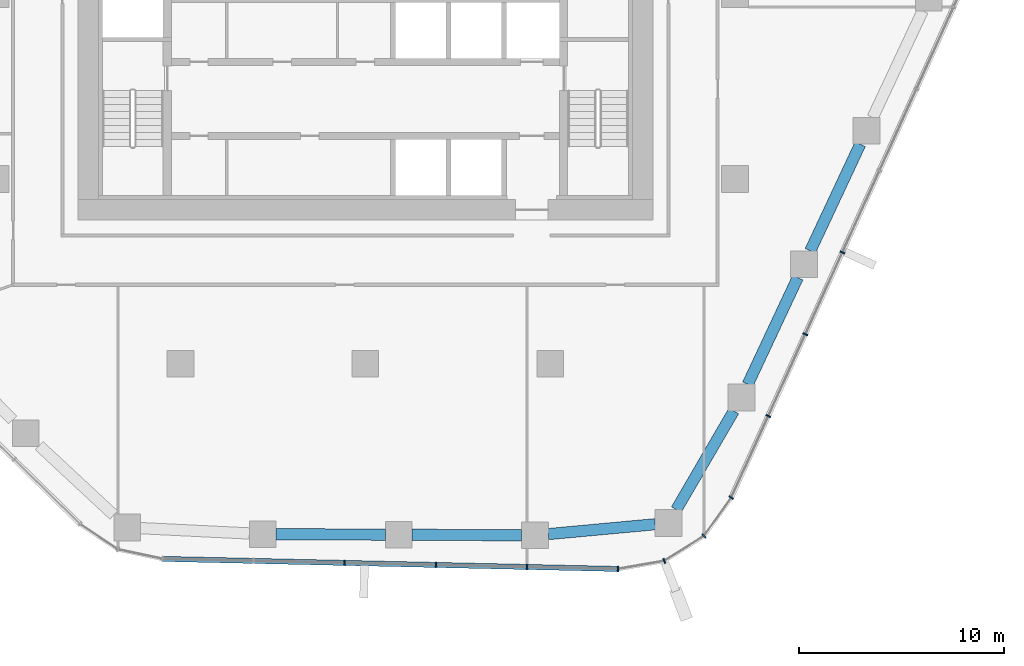
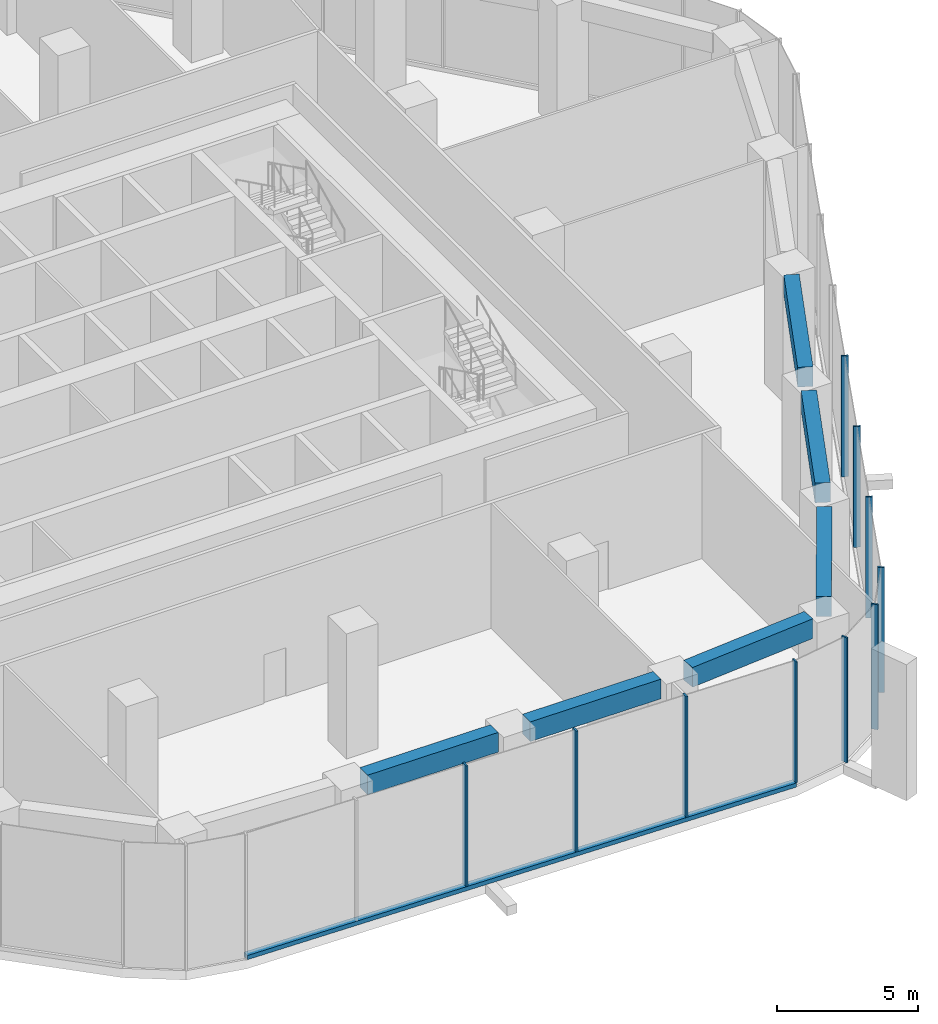
# One storey, part 3 of 18: 11 members, 6 beams, 3 elements without a shape of their own.
"""IFC4 building model written with IfcOpenShell, lengths in metres."""

from ifc_helpers import new_model, si_unit, direction, frame, origin, origin_2d, place, context, subcontext, project, spatial, rectangle, extrude, material, layer, layer_set, material_profile, profile_set, type_object, element, aggregate, save


model = new_model("IFC4")

# Units and contexts
model_context = context("Model", 3, precision=1e-05, world=origin(), true_north=direction((0.0, 1.0)))
body_context = subcontext(model_context, "Body", "Model", "MODEL_VIEW")
ifc_project = project(units=[si_unit("LENGTHUNIT", "METRE"), si_unit("AREAUNIT", "SQUARE_METRE"), si_unit("VOLUMEUNIT", "CUBIC_METRE"), si_unit("PLANEANGLEUNIT", "RADIAN"), si_unit("MASSUNIT", "GRAM", prefix="KILO")], contexts=[model_context])

# Site, building, storey
site_placement = place(None, origin())
site = spatial("IfcSite", under=ifc_project, at=site_placement, CompositionType="ELEMENT")
building_placement = place(site_placement, origin())
building = spatial("IfcBuilding", under=site, at=building_placement, Name="Dongbaek Canopy Tower", CompositionType="ELEMENT")
storey_placement = place(building_placement, frame((0.0, 0.0, 139.60009765625)))
storey = spatial("IfcBuildingStorey", under=building, at=storey_placement, Name="L31", CompositionType="ELEMENT", Elevation=139.60009765625)

# Curtain wall, members
ifc_material_1 = material(Name="Aluminium 6063-T6 pale anodised", Category="aluminium")
ifc_layer = layer(ifc_material_1, 0.25)
ifc_layer_set = layer_set([ifc_layer], Name="CW-4 sky-lobby curtain wall")
curtain_wall_type = type_object("IfcCurtainWallType", Name="CW-4 sky-lobby curtain wall", PredefinedType="NOTDEFINED", material=ifc_layer_set)
curtain_wall_1_placement = place(storey_placement, origin())
curtain_wall_1 = element("IfcCurtainWall", 1, at=curtain_wall_1_placement, inside=storey, type_object=curtain_wall_type, Name="CW-4 curtain wall F4.1", PredefinedType="NOTDEFINED")
ifc_material_2 = material(Name="Aluminium 6063-T6 pale anodised", Category="aluminium")
ifc_material_profile_1 = material_profile(ifc_material_2, rectangle(XDim=0.25, YDim=0.070068359375, at=origin_2d()), Name="CW-4 mullion 70 x 250")
ifc_profile_set_1 = profile_set([ifc_material_profile_1], Name="Aluminium 6063-T6 pale anodised")
member_type_1 = type_object("IfcMemberType", Name="CW-4 mullion 70 x 250", PredefinedType="MULLION", material=ifc_profile_set_1)
member_1_placement = place(storey_placement, frame((-1.008544921875, -27.692626953125, 0.179931640625), z_axis=(0.0, 0.0, 1.0), x_axis=(-0.022142221927, -0.99975483095, 0.0)))
member_1 = element("IfcMember", 2, at=member_1_placement, type_object=member_type_1, Name="CW-4 mullion F4.1.3", PredefinedType="MULLION", context=body_context, shape_type="SweptSolid", body=[
    extrude(rectangle(XDim=0.25, YDim=0.070068359375, at=origin_2d()), origin(), (0.0, 0.0, 1.0), 5.219970703125),
])
member_2_placement = place(storey_placement, frame((3.43017578125, -27.791015625, 0.179931640625), z_axis=(0.0, 0.0, 1.0), x_axis=(-0.022142221927, -0.99975483095, 0.0)))
member_2 = element("IfcMember", 3, at=member_2_placement, type_object=member_type_1, Name="CW-4 mullion F4.1.4", PredefinedType="MULLION", context=body_context, shape_type="SweptSolid", body=[
    extrude(rectangle(XDim=0.25, YDim=0.070068359375, at=origin_2d()), origin(), (0.0, 0.0, 1.0), 5.219970703125),
])
member_3_placement = place(storey_placement, frame((7.86865234375, -27.88916015625, 0.179931640625), z_axis=(0.0, 0.0, 1.0), x_axis=(-0.022142221927, -0.99975483095, 0.0)))
member_3 = element("IfcMember", 4, at=member_3_placement, type_object=member_type_1, Name="CW-4 mullion F4.1.5", PredefinedType="MULLION", context=body_context, shape_type="SweptSolid", body=[
    extrude(rectangle(XDim=0.25, YDim=0.070068359375, at=origin_2d()), origin(), (0.0, 0.0, 1.0), 5.219970703125),
])
member_4_placement = place(storey_placement, frame((12.297607421875, -27.9873046875, 0.179931640625), z_axis=(0.0, 0.0, 1.0), x_axis=(-0.022142221927, -0.99975483095, 0.0)))
member_4 = element("IfcMember", 5, at=member_4_placement, type_object=member_type_1, Name="CW-4 mullion F4.1.6", PredefinedType="MULLION", context=body_context, shape_type="SweptSolid", body=[
    extrude(rectangle(XDim=0.25, YDim=0.070068359375, at=origin_2d()), origin(), (0.0, 0.0, 1.0), 5.219970703125),
])

curtain_wall_2_placement = place(storey_placement, origin())
curtain_wall_2 = element("IfcCurtainWall", 6, at=curtain_wall_2_placement, inside=storey, type_object=curtain_wall_type, Name="CW-4 curtain wall K5.1", PredefinedType="NOTDEFINED")
member_5_placement = place(storey_placement, frame((14.55419921875, -27.59423828125, 0.0), z_axis=(0.0, 0.0, 1.0), x_axis=(0.35880976583, -0.933410709144, 0.0)))
member_5 = element("IfcMember", 7, at=member_5_placement, type_object=member_type_1, Name="CW-4 mullion K5.1.2", PredefinedType="MULLION", context=body_context, shape_type="SweptSolid", body=[
    extrude(rectangle(XDim=0.25, YDim=0.070068359375, at=origin_2d()), origin(), (0.0, 0.0, 1.0), 5.39990234375),
])
member_6_placement = place(storey_placement, frame((16.484619140625, -26.3798828125, 0.0), z_axis=(0.0, 0.0, 1.0), x_axis=(0.686110379082, -0.72749745547, 0.0)))
member_6 = element("IfcMember", 8, at=member_6_placement, type_object=member_type_1, Name="CW-4 mullion K5.1.3", PredefinedType="MULLION", context=body_context, shape_type="SweptSolid", body=[
    extrude(rectangle(XDim=0.25, YDim=0.070068359375, at=origin_2d()), origin(), (0.0, 0.0, 1.0), 5.39990234375),
])
member_7_placement = place(storey_placement, frame((17.81591796875, -24.515625, 0.0), z_axis=(0.0, 0.0, 1.0), x_axis=(0.813820819046, -0.581115887313, 0.0)))
member_7 = element("IfcMember", 9, at=member_7_placement, type_object=member_type_1, Name="CW-4 mullion K5.1.4", PredefinedType="MULLION", context=body_context, shape_type="SweptSolid", body=[
    extrude(rectangle(XDim=0.25, YDim=0.070068359375, at=origin_2d()), origin(), (0.0, 0.0, 1.0), 5.39990234375),
])
aggregate(curtain_wall_2, [member_5, member_6, member_7])

curtain_wall_3_placement = place(storey_placement, origin())
curtain_wall_3 = element("IfcCurtainWall", 10, at=curtain_wall_3_placement, inside=storey, type_object=curtain_wall_type, Name="CW-4 curtain wall F5.1", PredefinedType="NOTDEFINED")
member_8_placement = place(storey_placement, frame((19.616943359375, -20.54150390625, 0.179931640625), z_axis=(0.0, 0.0, 1.0), x_axis=(0.910819679597, -0.412804446752, 0.0)))
member_8 = element("IfcMember", 11, at=member_8_placement, type_object=member_type_1, Name="CW-4 mullion F5.1.2", PredefinedType="MULLION", context=body_context, shape_type="SweptSolid", body=[
    extrude(rectangle(XDim=0.25, YDim=0.070068359375, at=origin_2d()), origin(), (0.0, 0.0, 1.0), 5.219970703125),
])
member_9_placement = place(storey_placement, frame((21.422119140625, -16.55859375, 0.179931640625), z_axis=(0.0, 0.0, 1.0), x_axis=(0.910819679597, -0.412804446752, 0.0)))
member_9 = element("IfcMember", 12, at=member_9_placement, type_object=member_type_1, Name="CW-4 mullion F5.1.3", PredefinedType="MULLION", context=body_context, shape_type="SweptSolid", body=[
    extrude(rectangle(XDim=0.25, YDim=0.070068359375, at=origin_2d()), origin(), (0.0, 0.0, 1.0), 5.219970703125),
])
member_10_placement = place(storey_placement, frame((23.227294921875, -12.57568359375, 0.179931640625), z_axis=(0.0, 0.0, 1.0), x_axis=(0.910819679597, -0.412804446752, 0.0)))
member_10 = element("IfcMember", 13, at=member_10_placement, type_object=member_type_1, Name="CW-4 mullion F5.1.4", PredefinedType="MULLION", context=body_context, shape_type="SweptSolid", body=[
    extrude(rectangle(XDim=0.25, YDim=0.070068359375, at=origin_2d()), origin(), (0.0, 0.0, 1.0), 5.219970703125),
])
aggregate(curtain_wall_3, [member_8, member_9, member_10])

# Member
ifc_material_3 = material(Name="Aluminium 6063-T6 pale anodised", Category="aluminium")
ifc_material_profile_2 = material_profile(ifc_material_3, rectangle(XDim=0.25, YDim=0.179931640625, at=origin_2d()), Name="CW-4 transom 180 x 250")
ifc_profile_set_2 = profile_set([ifc_material_profile_2], Name="Aluminium 6063-T6 pale anodised")
member_type_2 = type_object("IfcMemberType", Name="CW-4 transom 180 x 250", PredefinedType="USERDEFINED", material=ifc_profile_set_2)
member_11_placement = place(storey_placement, frame((-9.876220703125, -27.496337890625, 0.08984375), z_axis=(0.999754962109, -0.022136299093, 0.0), x_axis=(0.022136299093, 0.999754962109, 0.0)))
member_11 = element("IfcMember", 14, at=member_11_placement, type_object=member_type_2, Name="CW-4 transom F4.1.1", ObjectType="TRANSOM", PredefinedType="USERDEFINED", context=body_context, shape_type="SweptSolid", body=[
    extrude(rectangle(XDim=0.25, YDim=0.179931640625, at=origin_2d()), origin(), (0.0, 0.0, 1.0), 22.17919921875),
])

aggregate(curtain_wall_1, [member_1, member_2, member_3, member_4, member_11])

# Beams
ifc_material_4 = material(Name="Concrete C80", Category="concrete")
ifc_material_profile_3 = material_profile(ifc_material_4, rectangle(XDim=0.550048828125, YDim=0.85009765625, at=origin_2d()), Name="RC EDGE BEAM 550x850 C80")
ifc_profile_set_3 = profile_set([ifc_material_profile_3], Name="Concrete C80")
beam_type = type_object("IfcBeamType", Name="RC EDGE BEAM 550x850 C80", PredefinedType="BEAM", material=ifc_profile_set_3)
beam_1_placement = place(storey_placement, frame((14.110107421875, -25.80908203125, 4.974853515625), z_axis=(-0.995770494827, -0.091875576911, 0.0), x_axis=(0.091875576911, -0.995770494827, 0.0)))
element("IfcBeam", 15, at=beam_1_placement, inside=storey, type_object=beam_type, Name="EDGEBEAM:L31:00", PredefinedType="BEAM", context=body_context, shape_type="SweptSolid", body=[
    extrude(rectangle(XDim=0.550048828125, YDim=0.85009765625, at=origin_2d()), origin(), (0.0, 0.0, 1.0), 5.224365234375),
])
beam_2_placement = place(storey_placement, frame((7.60791015625, -26.34619140625, 4.974853515625), z_axis=(-0.999989714022, 0.004535620181, 0.0), x_axis=(-0.004535620181, -0.999989714022, 0.0)))
element("IfcBeam", 16, at=beam_2_placement, inside=storey, type_object=beam_type, Name="EDGEBEAM:L31:01", PredefinedType="BEAM", context=body_context, shape_type="SweptSolid", body=[
    extrude(rectangle(XDim=0.550048828125, YDim=0.85009765625, at=origin_2d()), origin(), (0.0, 0.0, 1.0), 5.328857421875),
])
beam_3_placement = place(storey_placement, frame((0.97900390625, -26.316162109375, 4.974853515625), z_axis=(-0.999990328846, 0.004397978357, 0.0), x_axis=(-0.004397978357, -0.999990328846, 0.0)))
element("IfcBeam", 17, at=beam_3_placement, inside=storey, type_object=beam_type, Name="EDGEBEAM:L31:02", PredefinedType="BEAM", context=body_context, shape_type="SweptSolid", body=[
    extrude(rectangle(XDim=0.550048828125, YDim=0.85009765625, at=origin_2d()), origin(), (0.0, 0.0, 1.0), 5.3291015625),
])
beam_4_placement = place(storey_placement, frame((24.091796875, -7.306884765625, 4.974853515625), z_axis=(-0.424022586017, -0.905651614335, 0.0), x_axis=(0.905651614335, -0.424022586017, 0.0)))
element("IfcBeam", 18, at=beam_4_placement, inside=storey, type_object=beam_type, Name="EDGEBEAM:L31:23", PredefinedType="BEAM", context=body_context, shape_type="SweptSolid", body=[
    extrude(rectangle(XDim=0.550048828125, YDim=0.85009765625, at=origin_2d()), origin(), (0.0, 0.0, 1.0), 5.734130859375),
])
beam_5_placement = place(storey_placement, frame((21.051513671875, -13.800048828125, 4.974853515625), z_axis=(-0.424209119096, -0.905564256845, 0.0), x_axis=(0.905564256845, -0.424209119096, 0.0)))
element("IfcBeam", 19, at=beam_5_placement, inside=storey, type_object=beam_type, Name="EDGEBEAM:L31:24", PredefinedType="BEAM", context=body_context, shape_type="SweptSolid", body=[
    extrude(rectangle(XDim=0.550048828125, YDim=0.85009765625, at=origin_2d()), origin(), (0.0, 0.0, 1.0), 5.7333984375),
])
beam_6_placement = place(storey_placement, frame((17.9365234375, -20.2919921875, 4.974853515625), z_axis=(-0.503057531083, -0.864252926186, 0.0), x_axis=(0.864252926186, -0.503057531083, 0.0)))
element("IfcBeam", 20, at=beam_6_placement, inside=storey, type_object=beam_type, Name="EDGEBEAM:L31:25", PredefinedType="BEAM", context=body_context, shape_type="SweptSolid", body=[
    extrude(rectangle(XDim=0.550048828125, YDim=0.85009765625, at=origin_2d()), origin(), (0.0, 0.0, 1.0), 5.562255859375),
])

save(model, "model.ifc")
